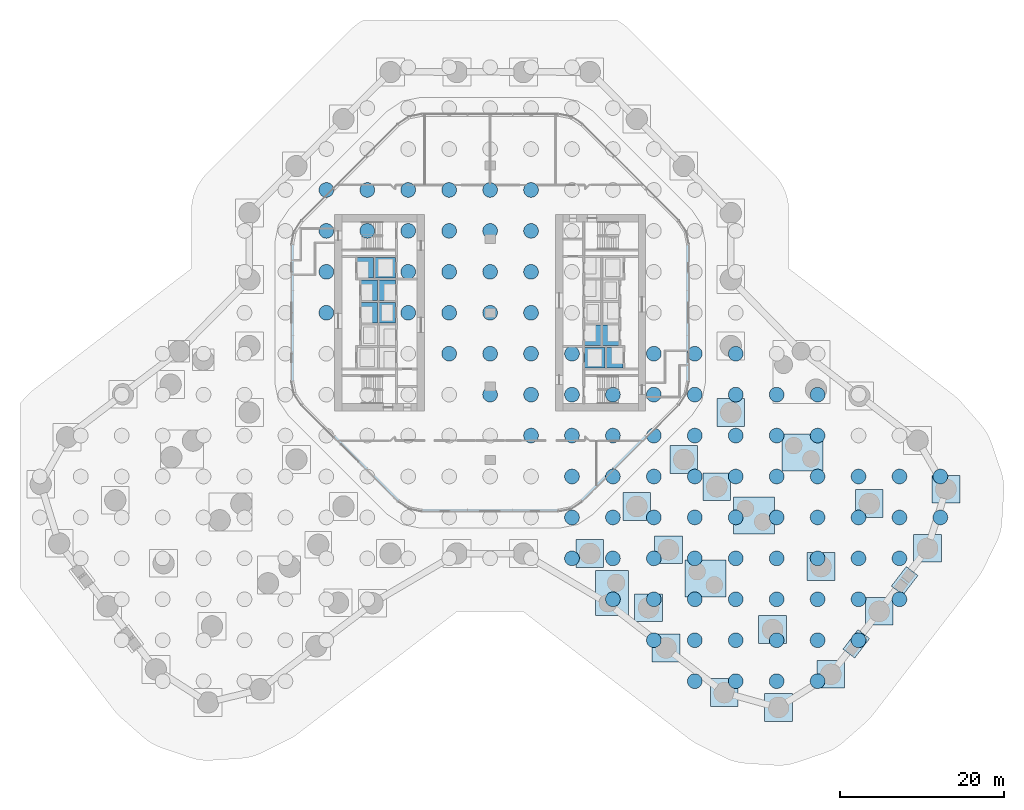
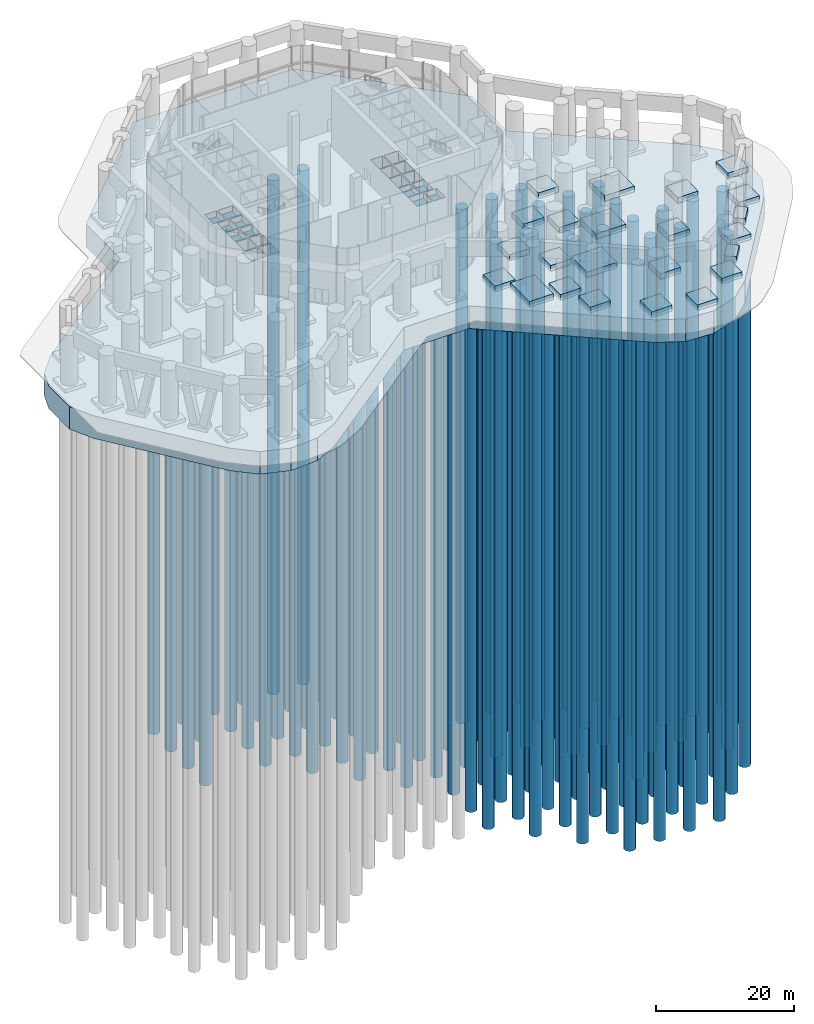
# One storey, part 2 of 31: 93 piles, 34 footings.
"""IFC4 building model written with IfcOpenShell, lengths in metres."""

from ifc_helpers import new_model, si_unit, direction, frame, origin, origin_2d, place, context, subcontext, project, spatial, polyline, circle, outline, extrude, material, layer, layer_set, material_profile, profile_set, type_object, element, save


model = new_model("IFC4")

# Units and contexts
model_context = context("Model", 3, precision=1e-05, world=origin(), true_north=direction((0.0, 1.0)))
body_context = subcontext(model_context, "Body", "Model", "MODEL_VIEW")
ifc_project = project(units=[si_unit("LENGTHUNIT", "METRE"), si_unit("AREAUNIT", "SQUARE_METRE"), si_unit("VOLUMEUNIT", "CUBIC_METRE"), si_unit("PLANEANGLEUNIT", "RADIAN"), si_unit("MASSUNIT", "GRAM", prefix="KILO")], contexts=[model_context])

# Site, building, storey
site_placement = place(None, origin())
site = spatial("IfcSite", under=ifc_project, at=site_placement, CompositionType="ELEMENT")
building_placement = place(site_placement, origin())
building = spatial("IfcBuilding", under=site, at=building_placement, Name="Orlundy Tower", CompositionType="ELEMENT")
storey_placement = place(building_placement, origin())
storey = spatial("IfcBuildingStorey", under=building, at=storey_placement, Name="L00", CompositionType="ELEMENT", Elevation=0.0)

# Piles
ifc_material_1 = material(Name="Concrete C40/50", Category="concrete")
ifc_material_profile = material_profile(ifc_material_1, circle(Radius=0.89990234375, at=origin_2d()), Name="BP1800")
ifc_profile_set = profile_set([ifc_material_profile], Name="Concrete C40/50")
pile_type = type_object("IfcPileType", Name="BORED PILE 1800 C40/50", PredefinedType="BORED", material=ifc_profile_set)
for number, where, z_axis, x_axis, name in (
    (1, (25.0, -45.0, -4.39990234375), (0.0, 0.0, -1.0), (1.0, 0.0, 0.0), "Bored pile 005"),
    (2, (30.0, -45.0, -4.39990234375), (0.0, 0.0, -1.0), (1.0, 0.0, 0.0), "Bored pile 006"),
    (3, (35.0, -45.0, -4.39990234375), (0.0, 0.0, -1.0), (1.0, 0.0, 0.0), "Bored pile 007"),
    (4, (40.0, -45.0, -4.39990234375), (0.0, 0.0, -1.0), (1.0, 0.0, 0.0), "Bored pile 008"),
    (5, (20.0, -40.0, -4.39990234375), (0.0, 0.0, -1.0), (1.0, 0.0, 0.0), "Bored pile 015"),
    (6, (25.0, -40.0, -4.39990234375), (0.0, 0.0, -1.0), (1.0, 0.0, 0.0), "Bored pile 016"),
    (7, (30.0, -40.0, -4.39990234375), (0.0, 0.0, -1.0), (1.0, 0.0, 0.0), "Bored pile 017"),
    (8, (35.0, -40.0, -4.39990234375), (0.0, 0.0, -1.0), (1.0, 0.0, 0.0), "Bored pile 018"),
    (9, (40.0, -40.0, -4.39990234375), (0.0, 0.0, -1.0), (1.0, 0.0, 0.0), "Bored pile 019"),
    (10, (45.0, -40.0, -4.39990234375), (0.0, 0.0, -1.0), (1.0, 0.0, 0.0), "Bored pile 020"),
    (11, (15.0, -35.0, -4.39990234375), (0.0, 0.0, -1.0), (1.0, 0.0, 0.0), "Bored pile 028"),
    (12, (20.0, -35.0, -4.39990234375), (0.0, 0.0, -1.0), (1.0, 0.0, 0.0), "Bored pile 029"),
    (13, (25.0, -35.0, -4.39990234375), (0.0, 0.0, -1.0), (1.0, 0.0, 0.0), "Bored pile 030"),
    (14, (30.0, -35.0, -4.39990234375), (0.0, 0.0, -1.0), (1.0, 0.0, 0.0), "Bored pile 031"),
    (15, (35.0, -35.0, -4.39990234375), (0.0, 0.0, -1.0), (1.0, 0.0, 0.0), "Bored pile 032"),
    (16, (40.0, -35.0, -4.39990234375), (0.0, 0.0, -1.0), (1.0, 0.0, 0.0), "Bored pile 033"),
    (17, (45.0, -35.0, -4.39990234375), (0.0, 0.0, -1.0), (1.0, 0.0, 0.0), "Bored pile 034"),
    (18, (50.0, -35.0, -4.39990234375), (0.0, 0.0, -1.0), (1.0, 0.0, 0.0), "Bored pile 035"),
    (19, (10.0, -30.0, -4.39990234375), (0.0, 0.0, -1.0), (1.0, 0.0, 0.0), "Bored pile 048"),
    (20, (15.0, -30.0, -4.39990234375), (0.0, 0.0, -1.0), (1.0, 0.0, 0.0), "Bored pile 049"),
    (21, (20.0, -30.0, -4.39990234375), (0.0, 0.0, -1.0), (1.0, 0.0, 0.0), "Bored pile 050"),
    (22, (25.0, -30.0, -4.39990234375), (0.0, 0.0, -1.0), (1.0, 0.0, 0.0), "Bored pile 051"),
    (23, (30.0, -30.0, -4.39990234375), (0.0, 0.0, -1.0), (1.0, 0.0, 0.0), "Bored pile 052"),
    (24, (35.0, -30.0, -4.39990234375), (0.0, 0.0, -1.0), (1.0, 0.0, 0.0), "Bored pile 053"),
    (25, (40.0, -30.0, -4.39990234375), (0.0, 0.0, -1.0), (1.0, 0.0, 0.0), "Bored pile 054"),
    (26, (45.0, -30.0, -4.39990234375), (0.0, 0.0, -1.0), (1.0, 0.0, 0.0), "Bored pile 055"),
    (27, (50.0, -30.0, -4.39990234375), (0.0, 0.0, -1.0), (1.0, 0.0, 0.0), "Bored pile 056"),
    (28, (10.0, -25.0, -4.39990234375), (0.0, 0.0, -1.0), (1.0, 0.0, 0.0), "Bored pile 070"),
    (29, (15.0, -25.0, -4.39990234375), (0.0, 0.0, -1.0), (1.0, 0.0, 0.0), "Bored pile 071"),
    (30, (20.0, -25.0, -4.39990234375), (0.0, 0.0, -1.0), (1.0, 0.0, 0.0), "Bored pile 072"),
    (31, (25.0, -25.0, -4.39990234375), (0.0, 0.0, -1.0), (1.0, 0.0, 0.0), "Bored pile 073"),
    (32, (30.0, -25.0, -4.39990234375), (0.0, 0.0, -1.0), (1.0, 0.0, 0.0), "Bored pile 074"),
    (33, (35.0, -25.0, -4.39990234375), (0.0, 0.0, -1.0), (1.0, 0.0, 0.0), "Bored pile 075"),
    (34, (40.0, -25.0, -4.39990234375), (0.0, 0.0, -1.0), (1.0, 0.0, 0.0), "Bored pile 076"),
    (35, (45.0, -25.0, -4.39990234375), (0.0, 0.0, -1.0), (1.0, 0.0, 0.0), "Bored pile 077"),
    (36, (50.0, -25.0, -4.39990234375), (0.0, 0.0, -1.0), (1.0, 0.0, 0.0), "Bored pile 078"),
    (37, (55.0, -25.0, -4.39990234375), (0.0, 0.0, -1.0), (1.0, 0.0, 0.0), "Bored pile 079"),
    (38, (10.0, -20.0, -4.39990234375), (0.0, 0.0, -1.0), (1.0, 0.0, 0.0), "Bored pile 093"),
    (39, (15.0, -20.0, -4.39990234375), (0.0, 0.0, -1.0), (1.0, 0.0, 0.0), "Bored pile 094"),
    (40, (20.0, -20.0, -4.39990234375), (0.0, 0.0, -1.0), (1.0, 0.0, 0.0), "Bored pile 095"),
    (41, (25.0, -20.0, -4.39990234375), (0.0, 0.0, -1.0), (1.0, 0.0, 0.0), "Bored pile 096"),
    (42, (30.0, -20.0, -4.39990234375), (0.0, 0.0, -1.0), (1.0, 0.0, 0.0), "Bored pile 097"),
    (43, (35.0, -20.0, -4.39990234375), (0.0, 0.0, -1.0), (1.0, 0.0, 0.0), "Bored pile 098"),
    (44, (40.0, -20.0, -4.39990234375), (0.0, 0.0, -1.0), (1.0, 0.0, 0.0), "Bored pile 099"),
    (45, (45.0, -20.0, -4.39990234375), (0.0, 0.0, -1.0), (1.0, 0.0, 0.0), "Bored pile 100"),
    (46, (50.0, -20.0, -4.39990234375), (0.0, 0.0, -1.0), (1.0, 0.0, 0.0), "Bored pile 101"),
    (47, (55.0, -20.0, -4.39990234375), (0.0, 0.0, -1.0), (1.0, 0.0, 0.0), "Bored pile 102"),
    (48, (5.0, -15.0, -4.39990234375), (0.0, 0.0, -1.0), (1.0, 0.0, 0.0), "Bored pile 114"),
    (49, (10.0, -15.0, -4.39990234375), (0.0, 0.0, -1.0), (1.0, 0.0, 0.0), "Bored pile 115"),
    (50, (15.0, -15.0, -4.39990234375), (0.0, 0.0, -1.0), (1.0, 0.0, 0.0), "Bored pile 116"),
    (51, (20.0, -15.0, -4.39990234375), (0.0, 0.0, -1.0), (1.0, 0.0, 0.0), "Bored pile 117"),
    (52, (25.0, -15.0, -4.39990234375), (0.0, 0.0, -1.0), (1.0, 0.0, 0.0), "Bored pile 118"),
    (53, (30.0, -15.0, -4.39990234375), (0.0, 0.0, -1.0), (1.0, 0.0, 0.0), "Bored pile 119"),
    (54, (35.0, -15.0, -4.39990234375), (0.0, 0.0, -1.0), (1.0, 0.0, 0.0), "Bored pile 120"),
    (55, (40.0, -15.0, -4.39990234375), (0.0, 0.0, -1.0), (1.0, 0.0, 0.0), "Bored pile 121"),
    (56, (0.0, -10.0, -4.39990234375), (0.0, 0.0, -1.0), (1.0, 0.0, 0.0), "Bored pile 133"),
    (57, (5.0, -10.0, -4.39990234375), (0.0, 0.0, -1.0), (1.0, 0.0, 0.0), "Bored pile 134"),
    (58, (10.0, -10.0, -4.39990234375), (0.0, 0.0, -1.0), (1.0, 0.0, 0.0), "Bored pile 135"),
    (59, (15.0, -10.0, -4.39990234375), (0.0, 0.0, -1.0), (1.0, 0.0, 0.0), "Bored pile 136"),
    (60, (20.0, -10.0, -4.39990234375), (0.0, 0.0, -1.0), (1.0, 0.0, 0.0), "Bored pile 137"),
    (61, (25.0, -10.0, -4.39990234375), (0.0, 0.0, -1.0), (1.0, 0.0, 0.0), "Bored pile 138"),
    (62, (30.0, -10.0, -4.39990234375), (0.0, 0.0, -1.0), (1.0, 0.0, 0.0), "Bored pile 139"),
    (63, (35.0, -10.0, -4.39990234375), (0.0, 0.0, -1.0), (1.0, 0.0, 0.0), "Bored pile 140"),
    (64, (40.0, -10.0, -4.39990234375), (0.0, 0.0, -1.0), (1.0, 0.0, 0.0), "Bored pile 141"),
    (65, (-5.0, -5.0, -4.39990234375), (0.0, 0.0, -1.0), (1.0, 0.0, 0.0), "Bored pile 149"),
    (66, (0.0, -5.0, -4.39990234375), (0.0, 0.0, -1.0), (1.0, 0.0, 0.0), "Bored pile 150"),
    (67, (5.0, -5.0, -4.39990234375), (0.0, 0.0, -1.0), (1.0, 0.0, 0.0), "Bored pile 151"),
    (68, (10.0, -5.0, -4.39990234375), (0.0, 0.0, -1.0), (1.0, 0.0, 0.0), "Bored pile 152"),
    (69, (20.0, -5.0, -4.39990234375), (0.0, 0.0, -1.0), (1.0, 0.0, 0.0), "Bored pile 153"),
    (70, (25.0, -5.0, -4.39990234375), (0.0, 0.0, -1.0), (1.0, 0.0, 0.0), "Bored pile 154"),
    (71, (30.0, -5.0, -4.39990234375), (0.0, 0.0, -1.0), (1.0, 0.0, 0.0), "Bored pile 155"),
    (72, (-20.0, 0.0, -4.39990234375), (0.0, 0.0, -1.0), (1.0, 0.0, 0.0), "Bored pile 160"),
    (73, (-10.0, 0.0, -4.39990234375), (0.0, 0.0, -1.0), (1.0, 0.0, 0.0), "Bored pile 161"),
    (74, (-5.0, 0.0, -4.39990234375), (0.0, 0.0, -1.0), (1.0, 0.0, 0.0), "Bored pile 162"),
    (75, (0.0, 0.0, -4.39990234375), (0.0, 0.0, -1.0), (1.0, 0.0, 0.0), "Bored pile 163"),
    (76, (5.0, 0.0, -4.39990234375), (0.0, 0.0, -1.0), (1.0, 0.0, 0.0), "Bored pile 164"),
    (77, (-20.0, 5.0, -4.39990234375), (0.0, 0.0, -1.0), (1.0, 0.0, 0.0), "Bored pile 171"),
    (78, (-10.0, 5.0, -4.39990234375), (0.0, 0.0, -1.0), (1.0, 0.0, 0.0), "Bored pile 172"),
    (79, (-5.0, 5.0, -4.39990234375), (0.0, 0.0, -1.0), (1.0, 0.0, 0.0), "Bored pile 173"),
    (80, (0.0, 5.0, -4.39990234375), (0.0, 0.0, -1.0), (1.0, 0.0, 0.0), "Bored pile 174"),
    (81, (5.0, 5.0, -4.39990234375), (0.0, 0.0, -1.0), (1.0, 0.0, 0.0), "Bored pile 175"),
    (82, (-20.0, 10.0, -4.39990234375), (0.0, 0.0, -1.0), (1.0, 0.0, 0.0), "Bored pile 182"),
    (83, (-15.0, 10.0, -4.39990234375), (0.0, 0.0, -1.0), (1.0, 0.0, 0.0), "Bored pile 183"),
    (84, (-10.0, 10.0, -4.39990234375), (0.0, 0.0, -1.0), (1.0, 0.0, 0.0), "Bored pile 184"),
    (85, (-5.0, 10.0, -4.39990234375), (0.0, 0.0, -1.0), (1.0, 0.0, 0.0), "Bored pile 185"),
    (86, (0.0, 10.0, -4.39990234375), (0.0, 0.0, -1.0), (1.0, 0.0, 0.0), "Bored pile 186"),
    (87, (5.0, 10.0, -4.39990234375), (0.0, 0.0, -1.0), (1.0, 0.0, 0.0), "Bored pile 187"),
    (88, (-20.0, 15.0, -4.39990234375), (0.0, 0.0, -1.0), (1.0, 0.0, 0.0), "Bored pile 194"),
    (89, (-15.0, 15.0, -4.39990234375), (0.0, 0.0, -1.0), (1.0, 0.0, 0.0), "Bored pile 195"),
    (90, (-10.0, 15.0, -4.39990234375), (0.0, 0.0, -1.0), (1.0, 0.0, 0.0), "Bored pile 196"),
    (91, (-5.0, 15.0, -4.39990234375), (0.0, 0.0, -1.0), (1.0, 0.0, 0.0), "Bored pile 197"),
    (92, (0.0, 15.0, -4.39990234375), (0.0, 0.0, -1.0), (1.0, 0.0, 0.0), "Bored pile 198"),
    (93, (5.0, 15.0, -4.39990234375), (0.0, 0.0, -1.0), (1.0, 0.0, 0.0), "Bored pile 199"),
):
    element("IfcPile", number, at=place(storey_placement, frame(where, z_axis=z_axis, x_axis=x_axis)), inside=storey, type_object=pile_type, Name=name, PredefinedType="BORED", context=body_context, shape_type="SweptSolid", body=[
        extrude(circle(Radius=0.89990234375, at=origin_2d()), origin(), (0.0, 0.0, 1.0), 91.0),
    ])

# Footings
ifc_material_2 = material(Name="Concrete C50/60", Category="concrete")
ifc_layer_1 = layer(ifc_material_2, 4.0)
ifc_layer_set_1 = layer_set([ifc_layer_1], Name="PILED RAFT 4000 C50/60")
footing_type_1 = type_object("IfcFootingType", Name="PILED RAFT 4000 C50/60", PredefinedType="PILE_CAP", material=ifc_layer_set_1)
footing_1_placement = place(storey_placement, frame((0.0, 0.0, -4.39990234375)))
element("IfcFooting", 94, at=footing_1_placement, inside=storey, type_object=footing_type_1, Name="Piled raft", PredefinedType="PILE_CAP", context=body_context, shape_type="SweptSolid", body=[
    extrude(outline(polyline([(-30.2099609375, -50.2099609375), (-34.822021484375, -50.511962890625), (-39.198974609375, -49.027099609375), (-42.5, -46.131103515625), (-55.56005859375, -29.111083984375), (-57.39990234375, -25.37890625), (-57.39990234375, -19.3740234375), (-56.318115234375, -16.18505859375), (-53.422119140625, -12.884033203125), (-32.300048828125, 3.324951171875), (-32.300048828125, 13.3779296875), (-13.3779296875, 32.300048828125), (13.3779296875, 32.300048828125), (32.300048828125, 13.3779296875), (32.300048828125, 3.323974609375), (40.864990234375, -3.248046875), (41.659912109375, -3.248046875), (41.659912109375, -3.85791015625), (54.216064453125, -13.492919921875), (57.110107421875, -16.7939453125), (58.596923828125, -21.1708984375), (58.2939453125, -25.781982421875), (56.35302734375, -29.719970703125), (43.29296875, -46.739990234375), (39.991943359375, -49.634033203125), (35.614990234375, -51.12109375), (31.0029296875, -50.818115234375), (27.06591796875, -48.876953125), (5.4619140625, -32.300048828125), (-5.4619140625, -32.300048828125), (-26.27099609375, -48.26806640625), (-30.2099609375, -50.2099609375)]), holes=[polyline([(-11.5400390625, -6.77490234375), (-13.5400390625, -6.77490234375), (-13.5400390625, -4.22509765625), (-11.5400390625, -4.22509765625), (-11.5400390625, -6.77490234375)]), polyline([(-13.739990234375, -6.77490234375), (-16.239990234375, -6.77490234375), (-16.239990234375, -4.22509765625), (-13.739990234375, -4.22509765625), (-13.739990234375, -6.77490234375)]), polyline([(-11.5400390625, -4.02490234375), (-13.5400390625, -4.02490234375), (-13.5400390625, -1.47509765625), (-11.5400390625, -1.47509765625), (-11.5400390625, -4.02490234375)]), polyline([(-13.739990234375, -4.02490234375), (-15.739990234375, -4.02490234375), (-15.739990234375, -1.47509765625), (-13.739990234375, -1.47509765625), (-13.739990234375, -4.02490234375)]), polyline([(-11.5400390625, -1.27490234375), (-13.5400390625, -1.27490234375), (-13.5400390625, 1.27490234375), (-11.5400390625, 1.27490234375), (-11.5400390625, -1.27490234375)]), polyline([(-13.739990234375, -1.27490234375), (-15.739990234375, -1.27490234375), (-15.739990234375, 1.27490234375), (-13.739990234375, 1.27490234375), (-13.739990234375, -1.27490234375)]), polyline([(-11.5400390625, 1.47509765625), (-13.5400390625, 1.47509765625), (-13.5400390625, 4.02490234375), (-11.5400390625, 4.02490234375), (-11.5400390625, 1.47509765625)]), polyline([(-13.739990234375, 1.47509765625), (-15.739990234375, 1.47509765625), (-15.739990234375, 4.02490234375), (-13.739990234375, 4.02490234375), (-13.739990234375, 1.47509765625)]), polyline([(-11.5400390625, 4.22509765625), (-14.0400390625, 4.22509765625), (-14.0400390625, 6.77490234375), (-11.5400390625, 6.77490234375), (-11.5400390625, 4.22509765625)]), polyline([(-14.239990234375, 4.22509765625), (-16.239990234375, 4.22509765625), (-16.239990234375, 6.77490234375), (-14.239990234375, 6.77490234375), (-14.239990234375, 4.22509765625)]), polyline([(11.5400390625, 6.77490234375), (13.5400390625, 6.77490234375), (13.5400390625, 4.22509765625), (11.5400390625, 4.22509765625), (11.5400390625, 6.77490234375)]), polyline([(13.739990234375, 6.77490234375), (16.239990234375, 6.77490234375), (16.239990234375, 4.22509765625), (13.739990234375, 4.22509765625), (13.739990234375, 6.77490234375)]), polyline([(11.5400390625, 4.02490234375), (13.5400390625, 4.02490234375), (13.5400390625, 1.47509765625), (11.5400390625, 1.47509765625), (11.5400390625, 4.02490234375)]), polyline([(13.739990234375, 4.02490234375), (15.739990234375, 4.02490234375), (15.739990234375, 1.47509765625), (13.739990234375, 1.47509765625), (13.739990234375, 4.02490234375)]), polyline([(11.5400390625, 1.27490234375), (13.5400390625, 1.27490234375), (13.5400390625, -1.27490234375), (11.5400390625, -1.27490234375), (11.5400390625, 1.27490234375)]), polyline([(13.739990234375, 1.27490234375), (15.739990234375, 1.27490234375), (15.739990234375, -1.27490234375), (13.739990234375, -1.27490234375), (13.739990234375, 1.27490234375)]), polyline([(11.5400390625, -1.47509765625), (13.5400390625, -1.47509765625), (13.5400390625, -4.02490234375), (11.5400390625, -4.02490234375), (11.5400390625, -1.47509765625)]), polyline([(13.739990234375, -1.47509765625), (15.739990234375, -1.47509765625), (15.739990234375, -4.02490234375), (13.739990234375, -4.02490234375), (13.739990234375, -1.47509765625)]), polyline([(11.5400390625, -4.22509765625), (14.0400390625, -4.22509765625), (14.0400390625, -6.77490234375), (11.5400390625, -6.77490234375), (11.5400390625, -4.22509765625)]), polyline([(14.239990234375, -4.22509765625), (16.239990234375, -4.22509765625), (16.239990234375, -6.77490234375), (14.239990234375, -6.77490234375), (14.239990234375, -4.22509765625)])]), origin(), (0.0, 0.0, 1.0), 4.0),
])
ifc_material_3 = material(Name="Concrete C50/60", Category="concrete")
ifc_layer_2 = layer(ifc_material_3, 1.0)
ifc_layer_set_2 = layer_set([ifc_layer_2], Name="PIT BASE C50/60")
footing_type_2 = type_object("IfcFootingType", Name="PIT BASE C50/60", PredefinedType="PAD_FOOTING", material=ifc_layer_set_2)
footing_2_placement = place(storey_placement, frame((0.0, 0.0, -4.39990234375)))
element("IfcFooting", 95, at=footing_2_placement, inside=storey, type_object=footing_type_2, Name="Lift pit base LP-05", PredefinedType="PAD_FOOTING", context=body_context, shape_type="SweptSolid", body=[
    extrude(outline(polyline([(-11.5400390625, -1.27490234375), (-13.5400390625, -1.27490234375), (-13.5400390625, 1.27490234375), (-11.5400390625, 1.27490234375), (-11.5400390625, -1.27490234375)])), origin(), (0.0, 0.0, 1.0), 3.0),
])
footing_3_placement = place(storey_placement, frame((0.0, 0.0, -4.39990234375)))
element("IfcFooting", 96, at=footing_3_placement, inside=storey, type_object=footing_type_2, Name="Lift pit base LP-01", PredefinedType="PAD_FOOTING", context=body_context, shape_type="SweptSolid", body=[
    extrude(outline(polyline([(-13.739990234375, -1.27490234375), (-15.739990234375, -1.27490234375), (-15.739990234375, 1.27490234375), (-13.739990234375, 1.27490234375), (-13.739990234375, -1.27490234375)])), origin(), (0.0, 0.0, 1.0), 3.0),
])
footing_4_placement = place(storey_placement, frame((0.0, 0.0, -4.39990234375)))
element("IfcFooting", 97, at=footing_4_placement, inside=storey, type_object=footing_type_2, Name="Lift pit base LP-02", PredefinedType="PAD_FOOTING", context=body_context, shape_type="SweptSolid", body=[
    extrude(outline(polyline([(-11.5400390625, 1.47509765625), (-13.5400390625, 1.47509765625), (-13.5400390625, 4.02490234375), (-11.5400390625, 4.02490234375), (-11.5400390625, 1.47509765625)])), origin(), (0.0, 0.0, 1.0), 3.0),
])
footing_5_placement = place(storey_placement, frame((0.0, 0.0, -4.39990234375)))
element("IfcFooting", 98, at=footing_5_placement, inside=storey, type_object=footing_type_2, Name="Lift pit base LP-03", PredefinedType="PAD_FOOTING", context=body_context, shape_type="SweptSolid", body=[
    extrude(outline(polyline([(-13.739990234375, 1.47509765625), (-15.739990234375, 1.47509765625), (-15.739990234375, 4.02490234375), (-13.739990234375, 4.02490234375), (-13.739990234375, 1.47509765625)])), origin(), (0.0, 0.0, 1.0), 3.0),
])
footing_6_placement = place(storey_placement, frame((0.0, 0.0, -4.39990234375)))
element("IfcFooting", 99, at=footing_6_placement, inside=storey, type_object=footing_type_2, Name="Lift pit base FL1", PredefinedType="PAD_FOOTING", context=body_context, shape_type="SweptSolid", body=[
    extrude(outline(polyline([(-11.5400390625, 4.22509765625), (-14.0400390625, 4.22509765625), (-14.0400390625, 6.77490234375), (-11.5400390625, 6.77490234375), (-11.5400390625, 4.22509765625)])), origin(), (0.0, 0.0, 1.0), 3.0),
])
footing_7_placement = place(storey_placement, frame((0.0, 0.0, -4.39990234375)))
element("IfcFooting", 100, at=footing_7_placement, inside=storey, type_object=footing_type_2, Name="Lift pit base LP-04", PredefinedType="PAD_FOOTING", context=body_context, shape_type="SweptSolid", body=[
    extrude(outline(polyline([(-14.239990234375, 4.22509765625), (-16.239990234375, 4.22509765625), (-16.239990234375, 6.77490234375), (-14.239990234375, 6.77490234375), (-14.239990234375, 4.22509765625)])), origin(), (0.0, 0.0, 1.0), 3.0),
])
footing_8_placement = place(storey_placement, frame((0.0, 0.0, -4.39990234375)))
element("IfcFooting", 101, at=footing_8_placement, inside=storey, type_object=footing_type_2, Name="Lift pit base LP-07", PredefinedType="PAD_FOOTING", context=body_context, shape_type="SweptSolid", body=[
    extrude(outline(polyline([(11.5400390625, -1.47509765625), (13.5400390625, -1.47509765625), (13.5400390625, -4.02490234375), (11.5400390625, -4.02490234375), (11.5400390625, -1.47509765625)])), origin(), (0.0, 0.0, 1.0), 3.0),
])
footing_9_placement = place(storey_placement, frame((0.0, 0.0, -4.39990234375)))
element("IfcFooting", 102, at=footing_9_placement, inside=storey, type_object=footing_type_2, Name="Lift pit base LP-08", PredefinedType="PAD_FOOTING", context=body_context, shape_type="SweptSolid", body=[
    extrude(outline(polyline([(13.739990234375, -1.47509765625), (15.739990234375, -1.47509765625), (15.739990234375, -4.02490234375), (13.739990234375, -4.02490234375), (13.739990234375, -1.47509765625)])), origin(), (0.0, 0.0, 1.0), 3.0),
])
footing_10_placement = place(storey_placement, frame((0.0, 0.0, -4.39990234375)))
element("IfcFooting", 103, at=footing_10_placement, inside=storey, type_object=footing_type_2, Name="Lift pit base FL2", PredefinedType="PAD_FOOTING", context=body_context, shape_type="SweptSolid", body=[
    extrude(outline(polyline([(11.5400390625, -4.22509765625), (14.0400390625, -4.22509765625), (14.0400390625, -6.77490234375), (11.5400390625, -6.77490234375), (11.5400390625, -4.22509765625)])), origin(), (0.0, 0.0, 1.0), 3.0),
])
footing_11_placement = place(storey_placement, frame((0.0, 0.0, -4.39990234375)))
element("IfcFooting", 104, at=footing_11_placement, inside=storey, type_object=footing_type_2, Name="Lift pit base LP-09", PredefinedType="PAD_FOOTING", context=body_context, shape_type="SweptSolid", body=[
    extrude(outline(polyline([(14.239990234375, -4.22509765625), (16.239990234375, -4.22509765625), (16.239990234375, -6.77490234375), (14.239990234375, -6.77490234375), (14.239990234375, -4.22509765625)])), origin(), (0.0, 0.0, 1.0), 3.0),
])
ifc_material_4 = material(Name="Concrete C50/60", Category="concrete")
ifc_layer_3 = layer(ifc_material_4, 1.0)
ifc_layer_set_3 = layer_set([ifc_layer_3], Name="STILT PEDESTAL C50/60")
footing_type_3 = type_object("IfcFootingType", Name="STILT PEDESTAL C50/60", PredefinedType="PAD_FOOTING", material=ifc_layer_set_3)
footing_12_placement = place(storey_placement, frame((0.0, 0.0, -0.39990234375)))
element("IfcFooting", 105, at=footing_12_placement, inside=storey, type_object=footing_type_3, Name="Stilt pedestal C-A1-1 and 1 more", PredefinedType="PAD_FOOTING", context=body_context, shape_type="SweptSolid", body=[
    extrude(outline(polyline([(16.89697265625, -36.97998046875), (16.89697265625, -31.48193359375), (12.87109375, -31.48193359375), (12.87109375, -36.97998046875), (16.89697265625, -36.97998046875)])), origin(), (0.0, 0.0, 1.0), 1.0),
])
footing_13_placement = place(storey_placement, frame((0.0, 0.0, -0.39990234375)))
element("IfcFooting", 106, at=footing_13_placement, inside=storey, type_object=footing_type_3, Name="Stilt pedestal C-A1-2", PredefinedType="PAD_FOOTING", context=body_context, shape_type="SweptSolid", body=[
    extrude(outline(polyline([(23.18408203125, -42.638916015625), (23.18408203125, -39.239013671875), (19.783935546875, -39.239013671875), (19.783935546875, -42.638916015625), (23.18408203125, -42.638916015625)])), origin(), (0.0, 0.0, 1.0), 1.0),
])
footing_14_placement = place(storey_placement, frame((0.0, 0.0, -0.39990234375)))
element("IfcFooting", 107, at=footing_14_placement, inside=storey, type_object=footing_type_3, Name="Stilt pedestal C-A1-3", PredefinedType="PAD_FOOTING", context=body_context, shape_type="SweptSolid", body=[
    extrude(outline(polyline([(30.298095703125, -48.096923828125), (30.298095703125, -44.697021484375), (26.89794921875, -44.697021484375), (26.89794921875, -48.096923828125), (30.298095703125, -48.096923828125)])), origin(), (0.0, 0.0, 1.0), 1.0),
])
footing_15_placement = place(storey_placement, frame((0.0, 0.0, -0.39990234375)))
element("IfcFooting", 108, at=footing_15_placement, inside=storey, type_object=footing_type_3, Name="Stilt pedestal C-A1-5", PredefinedType="PAD_FOOTING", context=body_context, shape_type="SweptSolid", body=[
    extrude(outline(polyline([(36.930908203125, -49.90087890625), (36.930908203125, -46.5009765625), (33.531005859375, -46.5009765625), (33.531005859375, -49.90087890625), (36.930908203125, -49.90087890625)])), origin(), (0.0, 0.0, 1.0), 1.0),
])
footing_16_placement = place(storey_placement, frame((0.0, 0.0, -0.39990234375)))
element("IfcFooting", 109, at=footing_16_placement, inside=storey, type_object=footing_type_3, Name="Stilt pedestal C-A1-6", PredefinedType="PAD_FOOTING", context=body_context, shape_type="SweptSolid", body=[
    extrude(outline(polyline([(21.06396484375, -37.72607421875), (21.06396484375, -34.325927734375), (17.6640625, -34.325927734375), (17.6640625, -37.72607421875), (21.06396484375, -37.72607421875)])), origin(), (0.0, 0.0, 1.0), 1.0),
])
footing_17_placement = place(storey_placement, frame((0.0, 0.0, -0.39990234375)))
element("IfcFooting", 110, at=footing_17_placement, inside=storey, type_object=footing_type_3, Name="Stilt pedestal C-A2-2 and 1 more", PredefinedType="PAD_FOOTING", context=body_context, shape_type="SweptSolid", body=[
    extrude(outline(polyline([(28.839111328125, -34.693115234375), (28.839111328125, -30.169921875), (23.823974609375, -30.169921875), (23.823974609375, -34.693115234375), (28.839111328125, -34.693115234375)])), origin(), (0.0, 0.0, 1.0), 1.0),
])
footing_18_placement = place(storey_placement, frame((0.0, 0.0, -0.39990234375)))
element("IfcFooting", 111, at=footing_18_placement, inside=storey, type_object=footing_type_3, Name="Stilt pedestal C-A2-3", PredefinedType="PAD_FOOTING", context=body_context, shape_type="SweptSolid", body=[
    extrude(outline(polyline([(36.202880859375, -40.402099609375), (36.202880859375, -37.001953125), (32.802978515625, -37.001953125), (32.802978515625, -40.402099609375), (36.202880859375, -40.402099609375)])), origin(), (0.0, 0.0, 1.0), 1.0),
])
footing_19_placement = place(storey_placement, frame((0.0, 0.0, -0.39990234375)))
element("IfcFooting", 112, at=footing_19_placement, inside=storey, type_object=footing_type_3, Name="Stilt pedestal C-A2-5", PredefinedType="PAD_FOOTING", context=body_context, shape_type="SweptSolid", body=[
    extrude(outline(polyline([(43.31689453125, -45.860107421875), (43.31689453125, -42.4599609375), (39.9169921875, -42.4599609375), (39.9169921875, -45.860107421875), (43.31689453125, -45.860107421875)])), origin(), (0.0, 0.0, 1.0), 1.0),
])
footing_20_placement = place(storey_placement, frame((0.0, 0.0, -0.39990234375)))
element("IfcFooting", 113, at=footing_20_placement, inside=storey, type_object=footing_type_3, Name="Stilt pedestal C-A2-7", PredefinedType="PAD_FOOTING", context=body_context, shape_type="SweptSolid", body=[
    extrude(outline(polyline([(23.48291015625, -30.64111328125), (23.48291015625, -27.240966796875), (20.0830078125, -27.240966796875), (20.0830078125, -30.64111328125), (23.48291015625, -30.64111328125)])), origin(), (0.0, 0.0, 1.0), 1.0),
])
footing_21_placement = place(storey_placement, frame((0.0, 0.0, -0.39990234375)))
element("IfcFooting", 114, at=footing_21_placement, inside=storey, type_object=footing_type_3, Name="Stilt pedestal C-A3-2 and 1 more", PredefinedType="PAD_FOOTING", context=body_context, shape_type="SweptSolid", body=[
    extrude(outline(polyline([(34.743896484375, -26.998046875), (34.743896484375, -22.47412109375), (29.72900390625, -22.47412109375), (29.72900390625, -26.998046875), (34.743896484375, -26.998046875)])), origin(), (0.0, 0.0, 1.0), 1.0),
])
footing_22_placement = place(storey_placement, frame((0.0, 0.0, -0.39990234375)))
element("IfcFooting", 115, at=footing_22_placement, inside=storey, type_object=footing_type_3, Name="Stilt pedestal C-A3-3", PredefinedType="PAD_FOOTING", context=body_context, shape_type="SweptSolid", body=[
    extrude(outline(polyline([(42.10791015625, -32.7060546875), (42.10791015625, -29.305908203125), (38.7080078125, -29.305908203125), (38.7080078125, -32.7060546875), (42.10791015625, -32.7060546875)])), origin(), (0.0, 0.0, 1.0), 1.0),
])
footing_23_placement = place(storey_placement, frame((0.0, 0.0, -0.39990234375)))
element("IfcFooting", 116, at=footing_23_placement, inside=storey, type_object=footing_type_3, Name="Stilt pedestal C-A3-5", PredefinedType="PAD_FOOTING", context=body_context, shape_type="SweptSolid", body=[
    extrude(outline(polyline([(49.221923828125, -38.1650390625), (49.221923828125, -34.764892578125), (45.822021484375, -34.764892578125), (45.822021484375, -38.1650390625), (49.221923828125, -38.1650390625)])), origin(), (0.0, 0.0, 1.0), 1.0),
])
footing_24_placement = place(storey_placement, frame((0.0, 0.0, -0.39990234375)))
element("IfcFooting", 117, at=footing_24_placement, inside=storey, type_object=footing_type_3, Name="Stilt pedestal C-A3-7", PredefinedType="PAD_FOOTING", context=body_context, shape_type="SweptSolid", body=[
    extrude(outline(polyline([(29.387939453125, -22.946044921875), (29.387939453125, -19.5458984375), (25.988037109375, -19.5458984375), (25.988037109375, -22.946044921875), (29.387939453125, -22.946044921875)])), origin(), (0.0, 0.0, 1.0), 1.0),
])
footing_25_placement = place(storey_placement, frame((0.0, 0.0, -0.39990234375)))
element("IfcFooting", 118, at=footing_25_placement, inside=storey, type_object=footing_type_3, Name="Stilt pedestal C-A4-2 and 1 more", PredefinedType="PAD_FOOTING", context=body_context, shape_type="SweptSolid", body=[
    extrude(outline(polyline([(40.64892578125, -19.302001953125), (40.64892578125, -14.779052734375), (35.634033203125, -14.779052734375), (35.634033203125, -19.302001953125), (40.64892578125, -19.302001953125)])), origin(), (0.0, 0.0, 1.0), 1.0),
])
footing_26_placement = place(storey_placement, frame((0.0, 0.0, -0.39990234375)))
element("IfcFooting", 119, at=footing_26_placement, inside=storey, type_object=footing_type_3, Name="Stilt pedestal C-A4-3", PredefinedType="PAD_FOOTING", context=body_context, shape_type="SweptSolid", body=[
    extrude(outline(polyline([(48.012939453125, -25.010986328125), (48.012939453125, -21.611083984375), (44.613037109375, -21.611083984375), (44.613037109375, -25.010986328125), (48.012939453125, -25.010986328125)])), origin(), (0.0, 0.0, 1.0), 1.0),
])
footing_27_placement = place(storey_placement, frame((0.0, 0.0, -0.39990234375)))
element("IfcFooting", 120, at=footing_27_placement, inside=storey, type_object=footing_type_3, Name="Stilt pedestal C-A4-5", PredefinedType="PAD_FOOTING", context=body_context, shape_type="SweptSolid", body=[
    extrude(outline(polyline([(55.126953125, -30.468994140625), (55.126953125, -27.069091796875), (51.72705078125, -27.069091796875), (51.72705078125, -30.468994140625), (55.126953125, -30.468994140625)])), origin(), (0.0, 0.0, 1.0), 1.0),
])
footing_28_placement = place(storey_placement, frame((0.0, 0.0, -0.39990234375)))
element("IfcFooting", 121, at=footing_28_placement, inside=storey, type_object=footing_type_3, Name="Stilt pedestal C-A5-5", PredefinedType="PAD_FOOTING", context=body_context, shape_type="SweptSolid", body=[
    extrude(outline(polyline([(57.376953125, -23.2548828125), (57.376953125, -19.85498046875), (53.97705078125, -19.85498046875), (53.97705078125, -23.2548828125), (57.376953125, -23.2548828125)])), origin(), (0.0, 0.0, 1.0), 1.0),
])
footing_29_placement = place(storey_placement, frame((0.0, 0.0, -0.39990234375)))
element("IfcFooting", 122, at=footing_29_placement, inside=storey, type_object=footing_type_3, Name="Stilt pedestal C-H04", PredefinedType="PAD_FOOTING", context=body_context, shape_type="SweptSolid", body=[
    extrude(outline(polyline([(31.10009765625, -13.8779296875), (31.10009765625, -10.47802734375), (27.699951171875, -10.47802734375), (27.699951171875, -13.8779296875), (31.10009765625, -13.8779296875)])), origin(), (0.0, 0.0, 1.0), 1.0),
])
footing_30_placement = place(storey_placement, frame((0.0, 0.0, -0.39990234375)))
element("IfcFooting", 123, at=footing_30_placement, inside=storey, type_object=footing_type_3, Name="Stilt pedestal C-H05", PredefinedType="PAD_FOOTING", context=body_context, shape_type="SweptSolid", body=[
    extrude(outline(polyline([(25.35888671875, -19.618896484375), (25.35888671875, -16.218994140625), (21.958984375, -16.218994140625), (21.958984375, -19.618896484375), (25.35888671875, -19.618896484375)])), origin(), (0.0, 0.0, 1.0), 1.0),
])
footing_31_placement = place(storey_placement, frame((0.0, 0.0, -0.39990234375)))
element("IfcFooting", 124, at=footing_31_placement, inside=storey, type_object=footing_type_3, Name="Stilt pedestal C-H06", PredefinedType="PAD_FOOTING", context=body_context, shape_type="SweptSolid", body=[
    extrude(outline(polyline([(19.618896484375, -25.35888671875), (19.618896484375, -21.958984375), (16.218994140625, -21.958984375), (16.218994140625, -25.35888671875), (19.618896484375, -25.35888671875)])), origin(), (0.0, 0.0, 1.0), 1.0),
])
footing_32_placement = place(storey_placement, frame((0.0, 0.0, -0.39990234375)))
element("IfcFooting", 125, at=footing_32_placement, inside=storey, type_object=footing_type_3, Name="Stilt pedestal C-H07", PredefinedType="PAD_FOOTING", context=body_context, shape_type="SweptSolid", body=[
    extrude(outline(polyline([(13.8779296875, -31.10009765625), (13.8779296875, -27.699951171875), (10.47802734375, -27.699951171875), (10.47802734375, -31.10009765625), (13.8779296875, -31.10009765625)])), origin(), (0.0, 0.0, 1.0), 1.0),
])
footing_33_placement = place(storey_placement, frame((0.0, 0.0, -0.39990234375)))
element("IfcFooting", 126, at=footing_33_placement, inside=storey, type_object=footing_type_3, Name="V-strut pedestal 2", PredefinedType="PAD_FOOTING", context=body_context, shape_type="SweptSolid", body=[
    extrude(outline(polyline([(50.434326171875, -34.476806640625), (49.00634765625, -33.381103515625), (50.83251953125, -31.001220703125), (52.260498046875, -32.096923828125), (50.434326171875, -34.476806640625)])), origin(), (0.0, 0.0, 1.0), 1.0),
])
footing_34_placement = place(storey_placement, frame((0.0, 0.0, -0.39990234375)))
element("IfcFooting", 127, at=footing_34_placement, inside=storey, type_object=footing_type_3, Name="V-strut pedestal 3", PredefinedType="PAD_FOOTING", context=body_context, shape_type="SweptSolid", body=[
    extrude(outline(polyline([(44.529052734375, -42.17236328125), (43.10107421875, -41.076416015625), (44.927490234375, -38.6962890625), (46.35546875, -39.792236328125), (44.529052734375, -42.17236328125)])), origin(), (0.0, 0.0, 1.0), 1.0),
])

save(model, "model.ifc")
